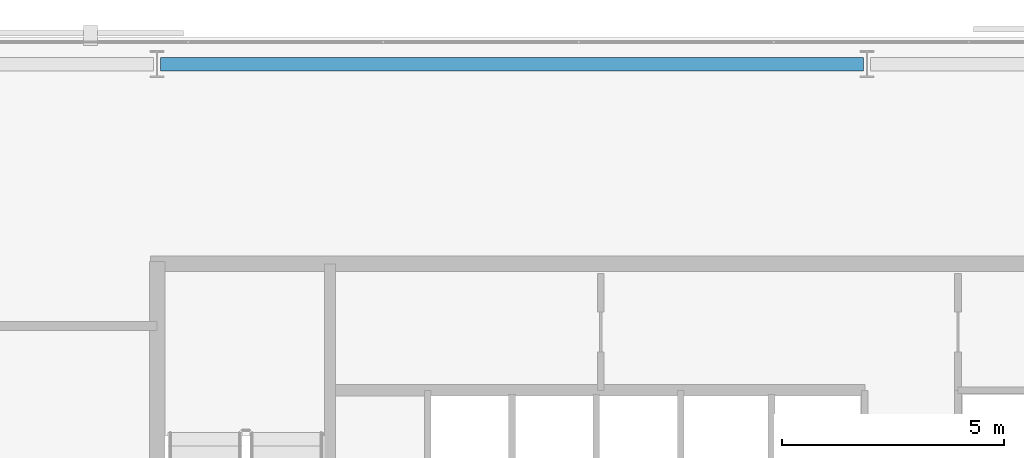
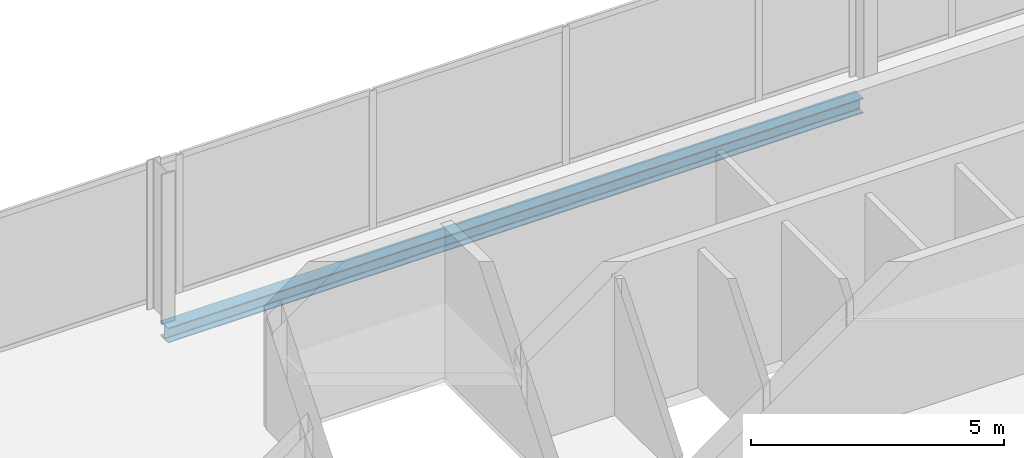
# One storey, part 21 of 32: 1 beam.
"""IFC4 building model written with IfcOpenShell, lengths in metres."""

from ifc_helpers import new_model, si_unit, direction, frame, origin, origin_2d, place, context, subcontext, project, spatial, i_section, extrude, material, material_profile, profile_set, type_object, element, save


model = new_model("IFC4")

# Units and contexts
model_context = context("Model", 3, precision=1e-05, world=origin(), true_north=direction((0.0, 1.0)))
body_context = subcontext(model_context, "Body", "Model", "MODEL_VIEW")
ifc_project = project(units=[si_unit("LENGTHUNIT", "METRE"), si_unit("AREAUNIT", "SQUARE_METRE"), si_unit("VOLUMEUNIT", "CUBIC_METRE"), si_unit("PLANEANGLEUNIT", "RADIAN"), si_unit("MASSUNIT", "GRAM", prefix="KILO")], contexts=[model_context])

# Site, building, storey
site_placement = place(None, origin())
site = spatial("IfcSite", under=ifc_project, at=site_placement, CompositionType="ELEMENT")
building_placement = place(site_placement, origin())
building = spatial("IfcBuilding", under=site, at=building_placement, Name="Catumbela Crestline Tower", CompositionType="ELEMENT")
storey_placement = place(building_placement, frame((0.0, 0.0, 133.2)))
storey = spatial("IfcBuildingStorey", under=building, at=storey_placement, Name="L34", CompositionType="ELEMENT", Elevation=133.2)

# Beam
ifc_material = material(Name="Structural steel S355J2", Category="steel")
ifc_material_profile = material_profile(ifc_material, i_section(OverallWidth=0.3, OverallDepth=0.36, WebThickness=0.0125, FlangeThickness=0.0225, FilletRadius=0.027, at=origin_2d()), Name="HEB 360")
ifc_profile_set = profile_set([ifc_material_profile], Name="Structural steel S355J2")
beam_type = type_object("IfcBeamType", Name="BS-HEB360", PredefinedType="SPANDREL", material=ifc_profile_set)
beam_placement = place(storey_placement, frame((16.08, 47.4, -0.44), z_axis=(1.0, 0.0, 0.0), x_axis=(0.0, 1.0, 0.0)))
element("IfcBeam", 1, at=beam_placement, inside=storey, type_object=beam_type, Name="L34 Spandrel SP-L34-NF19", PredefinedType="SPANDREL", context=body_context, shape_type="SweptSolid", body=[
    extrude(i_section(OverallWidth=0.3, OverallDepth=0.36, WebThickness=0.0125, FlangeThickness=0.0225, FilletRadius=0.027, at=origin_2d()), origin(), (0.0, 0.0, 1.0), 15.84),
])

save(model, "model.ifc")
